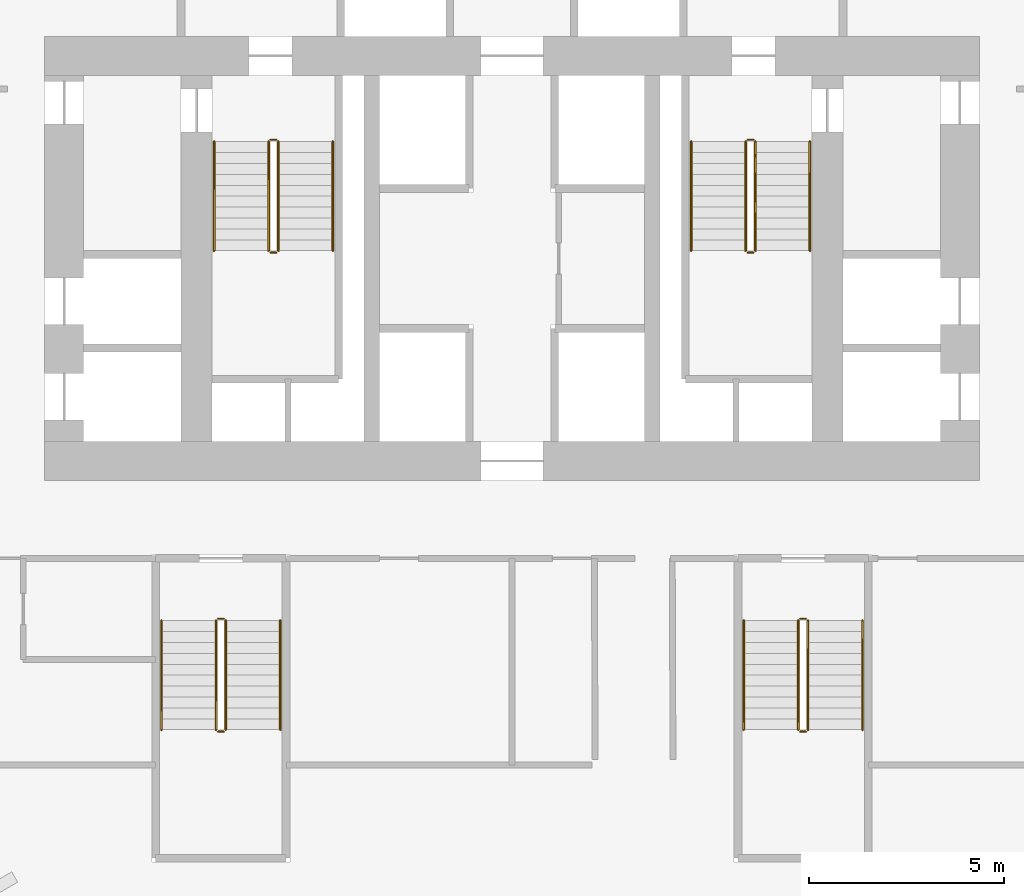
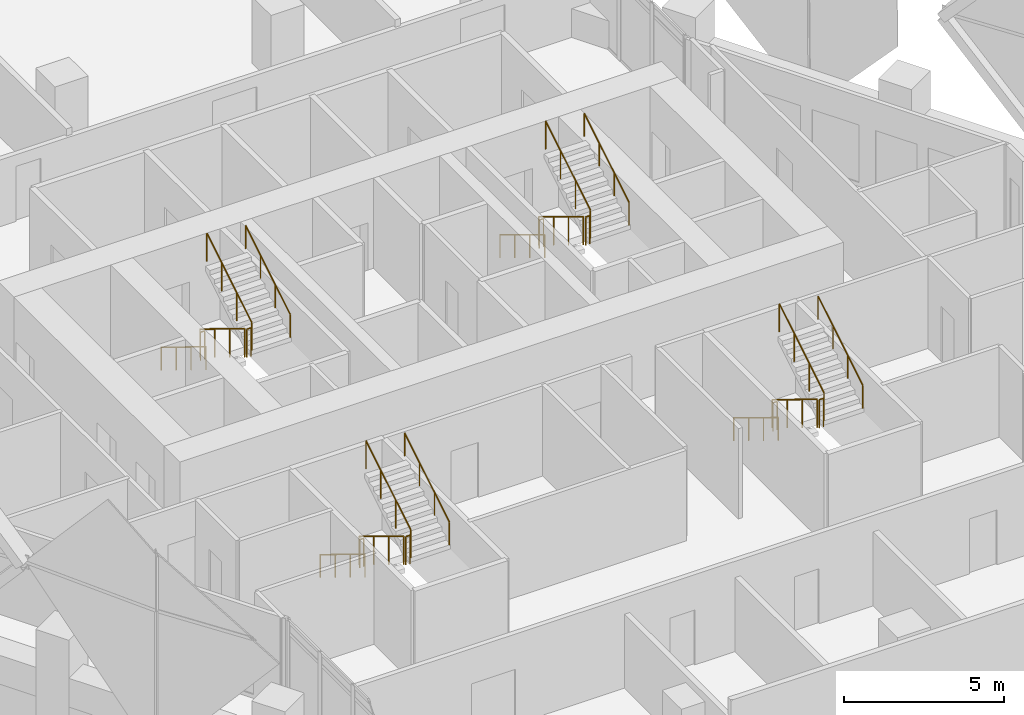
# One storey, part 38 of 38: 24 railings.
"""IFC4 building model written with IfcOpenShell, lengths in metres."""

import ifcopenshell
import ifcopenshell.guid

model = None  # the IFC model being written
_history = None  # IfcOwnerHistory: only IFC2X3 demands one
_inside = {}  # id of a spatial element -> (the spatial element, [elements in it])
_under = {}  # id of a project, library or spatial element -> (it, [spatial elements below it])
_declared = {}  # id of a project -> (the project, [libraries it declares])
_typed = {}  # id of a type object -> (the type object, [elements of that type])
_made_of = {}  # id of a material, layer set ... -> (it, [elements and type objects made of it])


def new_model(schema):
    """Start an empty IFC model of exactly this schema.

    Asked for "IFC4X3", IfcOpenShell would pick the latest addendum, in which some entities
    have other attributes; the version numbers below select the first issue.
    IFC2X3 requires an IfcOwnerHistory on every rooted entity: one is made here for all.
    """
    global model, _history
    if schema == "IFC4X3":
        model = ifcopenshell.file(schema_version=(4, 3, 0, 0))
    else:
        model = ifcopenshell.file(schema=schema)
    _inside.clear()
    _under.clear()
    _declared.clear()
    _typed.clear()
    _made_of.clear()
    _history = None
    if model.schema == "IFC2X3":
        org = make("IfcOrganization", Name="unknown")
        user = make(
            "IfcPersonAndOrganization",
            ThePerson=make("IfcPerson", FamilyName="unknown"),
            TheOrganization=org,
        )
        app = make(
            "IfcApplication",
            ApplicationDeveloper=org,
            Version="unknown",
            ApplicationFullName="unknown",
            ApplicationIdentifier="unknown",
        )
        _history = make(
            "IfcOwnerHistory",
            OwningUser=user,
            OwningApplication=app,
            ChangeAction="ADDED",
            CreationDate=0,
        )
    return model


def make(cls, **values):
    """One entity of the class cls with the attributes given. An attribute that is None is left unset."""
    return model.create_entity(
        cls, **{name: value for name, value in values.items() if value is not None}
    )


def rooted(cls, **values):
    """An entity with a GlobalId (a new one), such as an element, a storey or a relation."""
    return make(cls, GlobalId=ifcopenshell.guid.new(), OwnerHistory=_history, **values)


def si_unit(unit_type, name, prefix=None):
    """IfcSIUnit, for example si_unit("LENGTHUNIT", "METRE", prefix="MILLI")."""
    return make("IfcSIUnit", UnitType=unit_type, Prefix=prefix, Name=name)


def assignment(units):
    """IfcUnitAssignment: the units of a project."""
    return None if units is None else make("IfcUnitAssignment", Units=units)


def point(xyz):
    """IfcCartesianPoint."""
    return None if xyz is None else make("IfcCartesianPoint", Coordinates=xyz)


def direction(xyz):
    """IfcDirection."""
    return None if xyz is None else make("IfcDirection", DirectionRatios=xyz)


def frame(location, z_axis=None, x_axis=None):
    """IfcAxis2Placement3D, a coordinate frame: its origin and axes. An axis left out is left unset."""
    return make(
        "IfcAxis2Placement3D",
        Location=point(location),
        Axis=direction(z_axis),
        RefDirection=direction(x_axis),
    )


def frame_2d(location, x_axis=None):
    """IfcAxis2Placement2D, a coordinate frame in the plane: its origin and x axis."""
    return make(
        "IfcAxis2Placement2D", Location=point(location), RefDirection=direction(x_axis)
    )


def origin():
    """The frame at (0, 0, 0) with its axes left unset."""
    return frame((0.0, 0.0, 0.0))


def origin_2d():
    """The frame at (0, 0) in the plane with its x axis left unset."""
    return frame_2d((0.0, 0.0))


def place(relative_to, where):
    """IfcLocalPlacement: puts the frame where relative to a parent placement (None: the world)."""
    return make(
        "IfcLocalPlacement", PlacementRelTo=relative_to, RelativePlacement=where
    )


def context(
    kind, dimensions, precision=None, world=None, true_north=None, identifier=None
):
    """IfcGeometricRepresentationContext, for example the 3D "Model" context."""
    return make(
        "IfcGeometricRepresentationContext",
        ContextIdentifier=identifier,
        ContextType=kind,
        CoordinateSpaceDimension=dimensions,
        Precision=precision,
        WorldCoordinateSystem=world,
        TrueNorth=true_north,
    )


def subcontext(parent, identifier, kind, view, scale=None):
    """IfcGeometricRepresentationSubContext, for example "Body" below "Model"."""
    return make(
        "IfcGeometricRepresentationSubContext",
        ContextIdentifier=identifier,
        ContextType=kind,
        ParentContext=parent,
        TargetScale=scale,
        TargetView=view,
    )


def project(units=None, contexts=None):
    """IfcProject with its units and contexts."""
    return rooted(
        "IfcProject",
        Name="project",
        RepresentationContexts=contexts,
        UnitsInContext=assignment(units),
    )


def spatial(cls, under=None, at=None, **own):
    """A site, building, storey or space (cls), placed at a placement, below another one or the project."""
    s = rooted(cls, ObjectPlacement=at, **own)
    if under is not None:
        _under.setdefault(under.id(), (under, []))[1].append(s)
    return s


def profile(cls, at=None, kind="AREA", **sizes):
    """A parametric profile (cls). Its sizes go by their IFC names, for example OverallWidth=200.0."""
    return make(cls, ProfileType=kind, Position=at, **sizes)


def circle(**sizes):
    """IfcCircleProfileDef."""
    return profile("IfcCircleProfileDef", **sizes)


def extrude(swept, where, along, depth):
    """IfcExtrudedAreaSolid: the profile swept, set in the frame where, extruded along a direction by depth."""
    return make(
        "IfcExtrudedAreaSolid",
        SweptArea=swept,
        Position=where,
        ExtrudedDirection=direction(along),
        Depth=depth,
    )


def shape(context_of_items, identifier, shape_type, items):
    """IfcShapeRepresentation: the items that make up one representation, for example the "Body"."""
    return make(
        "IfcShapeRepresentation",
        ContextOfItems=context_of_items,
        RepresentationIdentifier=identifier,
        RepresentationType=shape_type,
        Items=items,
    )


def material(Name=None, Category=None):
    """IfcMaterial."""
    return make("IfcMaterial", Name=Name, Category=Category)


def made_of(thing, what):
    """Note that an element or type object is made of a material, layer set ...; save() writes the relation."""
    if what is not None:
        _made_of.setdefault(what.id(), (what, []))[1].append(thing)
    return thing


def type_object(cls, material=None, **own):
    """A type object (cls), such as IfcWallType, which elements share."""
    return made_of(rooted(cls, **own), material)


def element(
    cls,
    number,
    at=None,
    inside=None,
    cuts=None,
    type_object=None,
    material=None,
    context=None,
    identifier="Body",
    shape_type=None,
    held_by="IfcProductDefinitionShape",
    body=None,
    shapes=None,
    **own,
):
    """One element of the class cls, such as IfcWall. Its Tag is "e" and its number.

    at: its placement. inside: the storey or other place that contains it. cuts: it is an
    opening in that element (IfcRelVoidsElement). A single representation is given by context,
    identifier, shape_type and body (its items); several are given by shapes. held_by: the class
    of the entity that holds the representations. save() writes the other relations.
    """
    e = rooted(cls, Tag="e%d" % number, ObjectPlacement=at, **own)
    if body is not None:
        shapes = [shape(context, identifier, shape_type, body)]
    if shapes is not None:
        e.Representation = make(held_by, Representations=shapes)
    if inside is not None:
        _inside.setdefault(inside.id(), (inside, []))[1].append(e)
    if cuts is not None:
        rooted(
            "IfcRelVoidsElement", RelatingBuildingElement=cuts, RelatedOpeningElement=e
        )
    if type_object is not None:
        _typed.setdefault(type_object.id(), (type_object, []))[1].append(e)
    return made_of(e, material)


def aggregate(whole, parts):
    """IfcRelAggregates: a whole, such as a stair, and the parts it consists of."""
    return rooted("IfcRelAggregates", RelatingObject=whole, RelatedObjects=parts)


def save(model, path):
    """Write the relations noted so far, then the file.

    IfcRelAggregates (storeys below a building ...), IfcRelContainedInSpatialStructure (elements
    in a storey), IfcRelDefinesByType, IfcRelAssociatesMaterial and IfcRelDeclares: one each for
    every whole, place, type object, material and project.
    """
    for whole, parts in _under.values():
        aggregate(whole, parts)
    for where, things in _inside.values():
        rooted(
            "IfcRelContainedInSpatialStructure",
            RelatedElements=things,
            RelatingStructure=where,
        )
    for kind, things in _typed.values():
        rooted("IfcRelDefinesByType", RelatedObjects=things, RelatingType=kind)
    for what, things in _made_of.values():
        rooted("IfcRelAssociatesMaterial", RelatedObjects=things, RelatingMaterial=what)
    for by, libraries in _declared.values():
        rooted("IfcRelDeclares", RelatingContext=by, RelatedDefinitions=libraries)
    model.write(path)


model = new_model("IFC4")

# Units and contexts
model_context = context("Model", 3, precision=1e-05, world=origin(), true_north=direction((0.0, 1.0)))
body_context = subcontext(model_context, "Body", "Model", "MODEL_VIEW")
ifc_project = project(units=[si_unit("LENGTHUNIT", "METRE"), si_unit("AREAUNIT", "SQUARE_METRE"), si_unit("VOLUMEUNIT", "CUBIC_METRE"), si_unit("PLANEANGLEUNIT", "RADIAN"), si_unit("MASSUNIT", "GRAM", prefix="KILO")], contexts=[model_context])

# Site, building, storey
site_placement = place(None, origin())
site = spatial("IfcSite", under=ifc_project, at=site_placement, CompositionType="ELEMENT")
building_placement = place(site_placement, origin())
building = spatial("IfcBuilding", under=site, at=building_placement, Name="Ostrander Bayou Hotel Tower", CompositionType="ELEMENT")
storey_placement = place(building_placement, frame((0.0, 0.0, 96.75)))
storey = spatial("IfcBuildingStorey", under=building, at=storey_placement, Name="L24", CompositionType="ELEMENT", Elevation=96.75)

# Railings
ifc_material_1 = material(Name="Steel ASTM A500 Gr C", Category="steel")
railing_type_1 = type_object("IfcRailingType", Name="GR1 stair guard 1100 mm steel", PredefinedType="GUARDRAIL", material=ifc_material_1)
railing_1_placement = place(storey_placement, frame((-6.25, 7.0, 0.17041015625)))
element("IfcRailing", 1, at=railing_1_placement, inside=storey, type_object=railing_type_1, Name="L24 STA stair guard 1", PredefinedType="GUARDRAIL", context=body_context, shape_type="SweptSolid", body=[
    extrude(circle(Radius=0.02392578125, at=origin_2d()), frame((0.0, 0.0, 1.076171875), z_axis=(0.0, -0.854169791009, 0.51999420009), x_axis=(1.0, 0.0, 0.0)), (0.0, 0.0, 1.0), 3.278076171875),
    extrude(circle(Radius=0.02099609375, at=origin_2d()), origin(), (0.0, 0.0, 1.0), 1.052001953125),
    extrude(circle(Radius=0.02099609375, at=origin_2d()), frame((0.0, -0.933349609375, 0.568115234375)), (0.0, 0.0, 1.0), 1.052001953125),
    extrude(circle(Radius=0.02099609375, at=origin_2d()), frame((0.0, -1.86669921875, 1.136474609375)), (0.0, 0.0, 1.0), 1.052001953125),
    extrude(circle(Radius=0.02099609375, at=origin_2d()), frame((0.0, -2.800048828125, 1.70458984375)), (0.0, 0.0, 1.0), 1.052001953125),
])
railing_2_placement = place(storey_placement, frame((-6.199951171875, 4.14990234375, 1.875)))
element("IfcRailing", 2, at=railing_2_placement, inside=storey, type_object=railing_type_1, Name="L24 STA stair guard 2", PredefinedType="GUARDRAIL", context=body_context, shape_type="SweptSolid", body=[
    extrude(circle(Radius=0.02392578125, at=origin_2d()), frame((0.0, 0.0, 1.076171875), z_axis=(1.0, 0.0, 0.0), x_axis=(0.0, 1.0, 0.0)), (0.0, 0.0, 1.0), 0.14990234375),
    extrude(circle(Radius=0.02099609375, at=origin_2d()), origin(), (0.0, 0.0, 1.0), 1.052001953125),
    extrude(circle(Radius=0.02099609375, at=origin_2d()), frame((0.14990234375, 0.0, 0.0)), (0.0, 0.0, 1.0), 1.052001953125),
])
railing_3_placement = place(storey_placement, frame((-6.0, 4.199951171875, 2.04541015625)))
element("IfcRailing", 3, at=railing_3_placement, inside=storey, type_object=railing_type_1, Name="L24 STA stair guard 3", PredefinedType="GUARDRAIL", context=body_context, shape_type="SweptSolid", body=[
    extrude(circle(Radius=0.02392578125, at=origin_2d()), frame((0.0, 0.0, 1.076171875), z_axis=(0.0, 0.854169791009, 0.51999420009), x_axis=(-1.0, 0.0, 0.0)), (0.0, 0.0, 1.0), 3.278076171875),
    extrude(circle(Radius=0.02099609375, at=origin_2d()), origin(), (0.0, 0.0, 1.0), 1.052001953125),
    extrude(circle(Radius=0.02099609375, at=origin_2d()), frame((0.0, 0.933349609375, 0.568115234375)), (0.0, 0.0, 1.0), 1.052001953125),
    extrude(circle(Radius=0.02099609375, at=origin_2d()), frame((0.0, 1.86669921875, 1.136474609375)), (0.0, 0.0, 1.0), 1.052001953125),
    extrude(circle(Radius=0.02099609375, at=origin_2d()), frame((0.0, 2.800048828125, 1.70458984375)), (0.0, 0.0, 1.0), 1.052001953125),
])
railing_4_placement = place(storey_placement, frame((-6.199951171875, 7.050048828125, 0.0)))
element("IfcRailing", 4, at=railing_4_placement, inside=storey, type_object=railing_type_1, Name="L24 STA stair guard 4", PredefinedType="GUARDRAIL", context=body_context, shape_type="SweptSolid", body=[
    extrude(circle(Radius=0.02392578125, at=origin_2d()), frame((0.0, 0.0, 1.076171875), z_axis=(1.0, 0.0, 0.0), x_axis=(0.0, 1.0, 0.0)), (0.0, 0.0, 1.0), 0.14990234375),
    extrude(circle(Radius=0.02099609375, at=origin_2d()), origin(), (0.0, 0.0, 1.0), 1.052001953125),
    extrude(circle(Radius=0.02099609375, at=origin_2d()), frame((0.14990234375, 0.0, 0.0)), (0.0, 0.0, 1.0), 1.052001953125),
])
railing_5_placement = place(storey_placement, frame((6.0, 7.0, 0.17041015625)))
element("IfcRailing", 5, at=railing_5_placement, inside=storey, type_object=railing_type_1, Name="L24 STB stair guard 1", PredefinedType="GUARDRAIL", context=body_context, shape_type="SweptSolid", body=[
    extrude(circle(Radius=0.02392578125, at=origin_2d()), frame((0.0, 0.0, 1.076171875), z_axis=(0.0, -0.854169791009, 0.51999420009), x_axis=(1.0, 0.0, 0.0)), (0.0, 0.0, 1.0), 3.278076171875),
    extrude(circle(Radius=0.02099609375, at=origin_2d()), origin(), (0.0, 0.0, 1.0), 1.052001953125),
    extrude(circle(Radius=0.02099609375, at=origin_2d()), frame((0.0, -0.933349609375, 0.568115234375)), (0.0, 0.0, 1.0), 1.052001953125),
    extrude(circle(Radius=0.02099609375, at=origin_2d()), frame((0.0, -1.86669921875, 1.136474609375)), (0.0, 0.0, 1.0), 1.052001953125),
    extrude(circle(Radius=0.02099609375, at=origin_2d()), frame((0.0, -2.800048828125, 1.70458984375)), (0.0, 0.0, 1.0), 1.052001953125),
])
railing_6_placement = place(storey_placement, frame((6.050048828125, 4.14990234375, 1.875)))
element("IfcRailing", 6, at=railing_6_placement, inside=storey, type_object=railing_type_1, Name="L24 STB stair guard 2", PredefinedType="GUARDRAIL", context=body_context, shape_type="SweptSolid", body=[
    extrude(circle(Radius=0.02392578125, at=origin_2d()), frame((0.0, 0.0, 1.076171875), z_axis=(1.0, 0.0, 0.0), x_axis=(0.0, 1.0, 0.0)), (0.0, 0.0, 1.0), 0.14990234375),
    extrude(circle(Radius=0.02099609375, at=origin_2d()), origin(), (0.0, 0.0, 1.0), 1.052001953125),
    extrude(circle(Radius=0.02099609375, at=origin_2d()), frame((0.14990234375, 0.0, 0.0)), (0.0, 0.0, 1.0), 1.052001953125),
])
railing_7_placement = place(storey_placement, frame((6.25, 4.199951171875, 2.04541015625)))
element("IfcRailing", 7, at=railing_7_placement, inside=storey, type_object=railing_type_1, Name="L24 STB stair guard 3", PredefinedType="GUARDRAIL", context=body_context, shape_type="SweptSolid", body=[
    extrude(circle(Radius=0.02392578125, at=origin_2d()), frame((0.0, 0.0, 1.076171875), z_axis=(0.0, 0.854169791009, 0.51999420009), x_axis=(-1.0, 0.0, 0.0)), (0.0, 0.0, 1.0), 3.278076171875),
    extrude(circle(Radius=0.02099609375, at=origin_2d()), origin(), (0.0, 0.0, 1.0), 1.052001953125),
    extrude(circle(Radius=0.02099609375, at=origin_2d()), frame((0.0, 0.933349609375, 0.568115234375)), (0.0, 0.0, 1.0), 1.052001953125),
    extrude(circle(Radius=0.02099609375, at=origin_2d()), frame((0.0, 1.86669921875, 1.136474609375)), (0.0, 0.0, 1.0), 1.052001953125),
    extrude(circle(Radius=0.02099609375, at=origin_2d()), frame((0.0, 2.800048828125, 1.70458984375)), (0.0, 0.0, 1.0), 1.052001953125),
])
railing_8_placement = place(storey_placement, frame((6.050048828125, 7.050048828125, 0.0)))
element("IfcRailing", 8, at=railing_8_placement, inside=storey, type_object=railing_type_1, Name="L24 STB stair guard 4", PredefinedType="GUARDRAIL", context=body_context, shape_type="SweptSolid", body=[
    extrude(circle(Radius=0.02392578125, at=origin_2d()), frame((0.0, 0.0, 1.076171875), z_axis=(1.0, 0.0, 0.0), x_axis=(0.0, 1.0, 0.0)), (0.0, 0.0, 1.0), 0.14990234375),
    extrude(circle(Radius=0.02099609375, at=origin_2d()), origin(), (0.0, 0.0, 1.0), 1.052001953125),
    extrude(circle(Radius=0.02099609375, at=origin_2d()), frame((0.14990234375, 0.0, 0.0)), (0.0, 0.0, 1.0), 1.052001953125),
])
railing_9_placement = place(storey_placement, frame((7.35009765625, -5.300048828125, 0.17041015625)))
element("IfcRailing", 9, at=railing_9_placement, inside=storey, type_object=railing_type_1, Name="L24 STC stair guard 1", PredefinedType="GUARDRAIL", context=body_context, shape_type="SweptSolid", body=[
    extrude(circle(Radius=0.02392578125, at=origin_2d()), frame((0.0, 0.0, 1.076171875), z_axis=(0.0, -0.854169791009, 0.51999420009), x_axis=(1.0, 0.0, 0.0)), (0.0, 0.0, 1.0), 3.278076171875),
    extrude(circle(Radius=0.02099609375, at=origin_2d()), origin(), (0.0, 0.0, 1.0), 1.052001953125),
    extrude(circle(Radius=0.02099609375, at=origin_2d()), frame((0.0, -0.933349609375, 0.568115234375)), (0.0, 0.0, 1.0), 1.052001953125),
    extrude(circle(Radius=0.02099609375, at=origin_2d()), frame((0.0, -1.86669921875, 1.136474609375)), (0.0, 0.0, 1.0), 1.052001953125),
    extrude(circle(Radius=0.02099609375, at=origin_2d()), frame((0.0, -2.800048828125, 1.70458984375)), (0.0, 0.0, 1.0), 1.052001953125),
])
railing_10_placement = place(storey_placement, frame((7.39990234375, -8.14990234375, 1.875)))
element("IfcRailing", 10, at=railing_10_placement, inside=storey, type_object=railing_type_1, Name="L24 STC stair guard 2", PredefinedType="GUARDRAIL", context=body_context, shape_type="SweptSolid", body=[
    extrude(circle(Radius=0.02392578125, at=origin_2d()), frame((0.0, 0.0, 1.076171875), z_axis=(1.0, 0.0, 0.0), x_axis=(0.0, 1.0, 0.0)), (0.0, 0.0, 1.0), 0.150146484375),
    extrude(circle(Radius=0.02099609375, at=origin_2d()), origin(), (0.0, 0.0, 1.0), 1.052001953125),
    extrude(circle(Radius=0.02099609375, at=origin_2d()), frame((0.150146484375, 0.0, 0.0)), (0.0, 0.0, 1.0), 1.052001953125),
])
railing_11_placement = place(storey_placement, frame((7.60009765625, -8.10009765625, 2.04541015625)))
element("IfcRailing", 11, at=railing_11_placement, inside=storey, type_object=railing_type_1, Name="L24 STC stair guard 3", PredefinedType="GUARDRAIL", context=body_context, shape_type="SweptSolid", body=[
    extrude(circle(Radius=0.02392578125, at=origin_2d()), frame((0.0, 0.0, 1.076171875), z_axis=(0.0, 0.854169791009, 0.51999420009), x_axis=(-1.0, 0.0, 0.0)), (0.0, 0.0, 1.0), 3.278076171875),
    extrude(circle(Radius=0.02099609375, at=origin_2d()), origin(), (0.0, 0.0, 1.0), 1.052001953125),
    extrude(circle(Radius=0.02099609375, at=origin_2d()), frame((0.0, 0.933349609375, 0.568115234375)), (0.0, 0.0, 1.0), 1.052001953125),
    extrude(circle(Radius=0.02099609375, at=origin_2d()), frame((0.0, 1.86669921875, 1.136474609375)), (0.0, 0.0, 1.0), 1.052001953125),
    extrude(circle(Radius=0.02099609375, at=origin_2d()), frame((0.0, 2.800048828125, 1.70458984375)), (0.0, 0.0, 1.0), 1.052001953125),
])
railing_12_placement = place(storey_placement, frame((7.39990234375, -5.25, 0.0)))
element("IfcRailing", 12, at=railing_12_placement, inside=storey, type_object=railing_type_1, Name="L24 STC stair guard 4", PredefinedType="GUARDRAIL", context=body_context, shape_type="SweptSolid", body=[
    extrude(circle(Radius=0.02392578125, at=origin_2d()), frame((0.0, 0.0, 1.076171875), z_axis=(1.0, 0.0, 0.0), x_axis=(0.0, 1.0, 0.0)), (0.0, 0.0, 1.0), 0.150146484375),
    extrude(circle(Radius=0.02099609375, at=origin_2d()), origin(), (0.0, 0.0, 1.0), 1.052001953125),
    extrude(circle(Radius=0.02099609375, at=origin_2d()), frame((0.150146484375, 0.0, 0.0)), (0.0, 0.0, 1.0), 1.052001953125),
])
railing_13_placement = place(storey_placement, frame((-7.60009765625, -5.300048828125, 0.17041015625)))
element("IfcRailing", 13, at=railing_13_placement, inside=storey, type_object=railing_type_1, Name="L24 STD stair guard 1", PredefinedType="GUARDRAIL", context=body_context, shape_type="SweptSolid", body=[
    extrude(circle(Radius=0.02392578125, at=origin_2d()), frame((0.0, 0.0, 1.076171875), z_axis=(0.0, -0.854169791009, 0.51999420009), x_axis=(1.0, 0.0, 0.0)), (0.0, 0.0, 1.0), 3.278076171875),
    extrude(circle(Radius=0.02099609375, at=origin_2d()), origin(), (0.0, 0.0, 1.0), 1.052001953125),
    extrude(circle(Radius=0.02099609375, at=origin_2d()), frame((0.0, -0.933349609375, 0.568115234375)), (0.0, 0.0, 1.0), 1.052001953125),
    extrude(circle(Radius=0.02099609375, at=origin_2d()), frame((0.0, -1.86669921875, 1.136474609375)), (0.0, 0.0, 1.0), 1.052001953125),
    extrude(circle(Radius=0.02099609375, at=origin_2d()), frame((0.0, -2.800048828125, 1.70458984375)), (0.0, 0.0, 1.0), 1.052001953125),
])
railing_14_placement = place(storey_placement, frame((-7.550048828125, -8.14990234375, 1.875)))
element("IfcRailing", 14, at=railing_14_placement, inside=storey, type_object=railing_type_1, Name="L24 STD stair guard 2", PredefinedType="GUARDRAIL", context=body_context, shape_type="SweptSolid", body=[
    extrude(circle(Radius=0.02392578125, at=origin_2d()), frame((0.0, 0.0, 1.076171875), z_axis=(1.0, 0.0, 0.0), x_axis=(0.0, 1.0, 0.0)), (0.0, 0.0, 1.0), 0.150146484375),
    extrude(circle(Radius=0.02099609375, at=origin_2d()), origin(), (0.0, 0.0, 1.0), 1.052001953125),
    extrude(circle(Radius=0.02099609375, at=origin_2d()), frame((0.150146484375, 0.0, 0.0)), (0.0, 0.0, 1.0), 1.052001953125),
])
railing_15_placement = place(storey_placement, frame((-7.35009765625, -8.10009765625, 2.04541015625)))
element("IfcRailing", 15, at=railing_15_placement, inside=storey, type_object=railing_type_1, Name="L24 STD stair guard 3", PredefinedType="GUARDRAIL", context=body_context, shape_type="SweptSolid", body=[
    extrude(circle(Radius=0.02392578125, at=origin_2d()), frame((0.0, 0.0, 1.076171875), z_axis=(0.0, 0.854169791009, 0.51999420009), x_axis=(-1.0, 0.0, 0.0)), (0.0, 0.0, 1.0), 3.278076171875),
    extrude(circle(Radius=0.02099609375, at=origin_2d()), origin(), (0.0, 0.0, 1.0), 1.052001953125),
    extrude(circle(Radius=0.02099609375, at=origin_2d()), frame((0.0, 0.933349609375, 0.568115234375)), (0.0, 0.0, 1.0), 1.052001953125),
    extrude(circle(Radius=0.02099609375, at=origin_2d()), frame((0.0, 1.86669921875, 1.136474609375)), (0.0, 0.0, 1.0), 1.052001953125),
    extrude(circle(Radius=0.02099609375, at=origin_2d()), frame((0.0, 2.800048828125, 1.70458984375)), (0.0, 0.0, 1.0), 1.052001953125),
])
railing_16_placement = place(storey_placement, frame((-7.550048828125, -5.25, 0.0)))
element("IfcRailing", 16, at=railing_16_placement, inside=storey, type_object=railing_type_1, Name="L24 STD stair guard 4", PredefinedType="GUARDRAIL", context=body_context, shape_type="SweptSolid", body=[
    extrude(circle(Radius=0.02392578125, at=origin_2d()), frame((0.0, 0.0, 1.076171875), z_axis=(1.0, 0.0, 0.0), x_axis=(0.0, 1.0, 0.0)), (0.0, 0.0, 1.0), 0.150146484375),
    extrude(circle(Radius=0.02099609375, at=origin_2d()), origin(), (0.0, 0.0, 1.0), 1.052001953125),
    extrude(circle(Radius=0.02099609375, at=origin_2d()), frame((0.150146484375, 0.0, 0.0)), (0.0, 0.0, 1.0), 1.052001953125),
])
ifc_material_2 = material(Name="Steel ASTM A500 Gr C", Category="steel")
railing_type_2 = type_object("IfcRailingType", Name="HR1 stair handrail 900 mm steel", PredefinedType="HANDRAIL", material=ifc_material_2)
railing_17_placement = place(storey_placement, frame((-7.64990234375, 7.0, 0.17041015625)))
element("IfcRailing", 17, at=railing_17_placement, inside=storey, type_object=railing_type_2, Name="L24 STA stair handrail 1", PredefinedType="HANDRAIL", context=body_context, shape_type="SweptSolid", body=[
    extrude(circle(Radius=0.02392578125, at=origin_2d()), frame((0.0, 0.0, 0.8759765625), z_axis=(0.0, -0.854169791009, 0.51999420009), x_axis=(1.0, 0.0, 0.0)), (0.0, 0.0, 1.0), 3.278076171875),
    extrude(circle(Radius=0.02099609375, at=origin_2d()), origin(), (0.0, 0.0, 1.0), 0.851806640625),
    extrude(circle(Radius=0.02099609375, at=origin_2d()), frame((0.0, -0.933349609375, 0.568115234375)), (0.0, 0.0, 1.0), 0.851806640625),
    extrude(circle(Radius=0.02099609375, at=origin_2d()), frame((0.0, -1.86669921875, 1.136474609375)), (0.0, 0.0, 1.0), 0.851806640625),
    extrude(circle(Radius=0.02099609375, at=origin_2d()), frame((0.0, -2.800048828125, 1.70458984375)), (0.0, 0.0, 1.0), 0.851806640625),
])
railing_18_placement = place(storey_placement, frame((-4.60009765625, 4.199951171875, 2.04541015625)))
element("IfcRailing", 18, at=railing_18_placement, inside=storey, type_object=railing_type_2, Name="L24 STA stair handrail 2", PredefinedType="HANDRAIL", context=body_context, shape_type="SweptSolid", body=[
    extrude(circle(Radius=0.02392578125, at=origin_2d()), frame((0.0, 0.0, 0.8759765625), z_axis=(0.0, 0.854169791009, 0.51999420009), x_axis=(-1.0, 0.0, 0.0)), (0.0, 0.0, 1.0), 3.278076171875),
    extrude(circle(Radius=0.02099609375, at=origin_2d()), origin(), (0.0, 0.0, 1.0), 0.851806640625),
    extrude(circle(Radius=0.02099609375, at=origin_2d()), frame((0.0, 0.933349609375, 0.568115234375)), (0.0, 0.0, 1.0), 0.851806640625),
    extrude(circle(Radius=0.02099609375, at=origin_2d()), frame((0.0, 1.86669921875, 1.136474609375)), (0.0, 0.0, 1.0), 0.851806640625),
    extrude(circle(Radius=0.02099609375, at=origin_2d()), frame((0.0, 2.800048828125, 1.70458984375)), (0.0, 0.0, 1.0), 0.851806640625),
])
railing_19_placement = place(storey_placement, frame((4.60009765625, 7.0, 0.17041015625)))
element("IfcRailing", 19, at=railing_19_placement, inside=storey, type_object=railing_type_2, Name="L24 STB stair handrail 1", PredefinedType="HANDRAIL", context=body_context, shape_type="SweptSolid", body=[
    extrude(circle(Radius=0.02392578125, at=origin_2d()), frame((0.0, 0.0, 0.8759765625), z_axis=(0.0, -0.854169791009, 0.51999420009), x_axis=(1.0, 0.0, 0.0)), (0.0, 0.0, 1.0), 3.278076171875),
    extrude(circle(Radius=0.02099609375, at=origin_2d()), origin(), (0.0, 0.0, 1.0), 0.851806640625),
    extrude(circle(Radius=0.02099609375, at=origin_2d()), frame((0.0, -0.933349609375, 0.568115234375)), (0.0, 0.0, 1.0), 0.851806640625),
    extrude(circle(Radius=0.02099609375, at=origin_2d()), frame((0.0, -1.86669921875, 1.136474609375)), (0.0, 0.0, 1.0), 0.851806640625),
    extrude(circle(Radius=0.02099609375, at=origin_2d()), frame((0.0, -2.800048828125, 1.70458984375)), (0.0, 0.0, 1.0), 0.851806640625),
])
railing_20_placement = place(storey_placement, frame((7.64990234375, 4.199951171875, 2.04541015625)))
element("IfcRailing", 20, at=railing_20_placement, inside=storey, type_object=railing_type_2, Name="L24 STB stair handrail 2", PredefinedType="HANDRAIL", context=body_context, shape_type="SweptSolid", body=[
    extrude(circle(Radius=0.02392578125, at=origin_2d()), frame((0.0, 0.0, 0.8759765625), z_axis=(0.0, 0.854169791009, 0.51999420009), x_axis=(-1.0, 0.0, 0.0)), (0.0, 0.0, 1.0), 3.278076171875),
    extrude(circle(Radius=0.02099609375, at=origin_2d()), origin(), (0.0, 0.0, 1.0), 0.851806640625),
    extrude(circle(Radius=0.02099609375, at=origin_2d()), frame((0.0, 0.933349609375, 0.568115234375)), (0.0, 0.0, 1.0), 0.851806640625),
    extrude(circle(Radius=0.02099609375, at=origin_2d()), frame((0.0, 1.86669921875, 1.136474609375)), (0.0, 0.0, 1.0), 0.851806640625),
    extrude(circle(Radius=0.02099609375, at=origin_2d()), frame((0.0, 2.800048828125, 1.70458984375)), (0.0, 0.0, 1.0), 0.851806640625),
])
railing_21_placement = place(storey_placement, frame((5.949951171875, -5.300048828125, 0.17041015625)))
element("IfcRailing", 21, at=railing_21_placement, inside=storey, type_object=railing_type_2, Name="L24 STC stair handrail 1", PredefinedType="HANDRAIL", context=body_context, shape_type="SweptSolid", body=[
    extrude(circle(Radius=0.02392578125, at=origin_2d()), frame((0.0, 0.0, 0.8759765625), z_axis=(0.0, -0.854169791009, 0.51999420009), x_axis=(1.0, 0.0, 0.0)), (0.0, 0.0, 1.0), 3.278076171875),
    extrude(circle(Radius=0.02099609375, at=origin_2d()), origin(), (0.0, 0.0, 1.0), 0.851806640625),
    extrude(circle(Radius=0.02099609375, at=origin_2d()), frame((0.0, -0.933349609375, 0.568115234375)), (0.0, 0.0, 1.0), 0.851806640625),
    extrude(circle(Radius=0.02099609375, at=origin_2d()), frame((0.0, -1.86669921875, 1.136474609375)), (0.0, 0.0, 1.0), 0.851806640625),
    extrude(circle(Radius=0.02099609375, at=origin_2d()), frame((0.0, -2.800048828125, 1.70458984375)), (0.0, 0.0, 1.0), 0.851806640625),
])
railing_22_placement = place(storey_placement, frame((9.0, -8.10009765625, 2.04541015625)))
element("IfcRailing", 22, at=railing_22_placement, inside=storey, type_object=railing_type_2, Name="L24 STC stair handrail 2", PredefinedType="HANDRAIL", context=body_context, shape_type="SweptSolid", body=[
    extrude(circle(Radius=0.02392578125, at=origin_2d()), frame((0.0, 0.0, 0.8759765625), z_axis=(0.0, 0.854169791009, 0.51999420009), x_axis=(-1.0, 0.0, 0.0)), (0.0, 0.0, 1.0), 3.278076171875),
    extrude(circle(Radius=0.02099609375, at=origin_2d()), origin(), (0.0, 0.0, 1.0), 0.851806640625),
    extrude(circle(Radius=0.02099609375, at=origin_2d()), frame((0.0, 0.933349609375, 0.568115234375)), (0.0, 0.0, 1.0), 0.851806640625),
    extrude(circle(Radius=0.02099609375, at=origin_2d()), frame((0.0, 1.86669921875, 1.136474609375)), (0.0, 0.0, 1.0), 0.851806640625),
    extrude(circle(Radius=0.02099609375, at=origin_2d()), frame((0.0, 2.800048828125, 1.70458984375)), (0.0, 0.0, 1.0), 0.851806640625),
])
railing_23_placement = place(storey_placement, frame((-9.0, -5.300048828125, 0.17041015625)))
element("IfcRailing", 23, at=railing_23_placement, inside=storey, type_object=railing_type_2, Name="L24 STD stair handrail 1", PredefinedType="HANDRAIL", context=body_context, shape_type="SweptSolid", body=[
    extrude(circle(Radius=0.02392578125, at=origin_2d()), frame((0.0, 0.0, 0.8759765625), z_axis=(0.0, -0.854169791009, 0.51999420009), x_axis=(1.0, 0.0, 0.0)), (0.0, 0.0, 1.0), 3.278076171875),
    extrude(circle(Radius=0.02099609375, at=origin_2d()), origin(), (0.0, 0.0, 1.0), 0.851806640625),
    extrude(circle(Radius=0.02099609375, at=origin_2d()), frame((0.0, -0.933349609375, 0.568115234375)), (0.0, 0.0, 1.0), 0.851806640625),
    extrude(circle(Radius=0.02099609375, at=origin_2d()), frame((0.0, -1.86669921875, 1.136474609375)), (0.0, 0.0, 1.0), 0.851806640625),
    extrude(circle(Radius=0.02099609375, at=origin_2d()), frame((0.0, -2.800048828125, 1.70458984375)), (0.0, 0.0, 1.0), 0.851806640625),
])
railing_24_placement = place(storey_placement, frame((-5.949951171875, -8.10009765625, 2.04541015625)))
element("IfcRailing", 24, at=railing_24_placement, inside=storey, type_object=railing_type_2, Name="L24 STD stair handrail 2", PredefinedType="HANDRAIL", context=body_context, shape_type="SweptSolid", body=[
    extrude(circle(Radius=0.02392578125, at=origin_2d()), frame((0.0, 0.0, 0.8759765625), z_axis=(0.0, 0.854169791009, 0.51999420009), x_axis=(-1.0, 0.0, 0.0)), (0.0, 0.0, 1.0), 3.278076171875),
    extrude(circle(Radius=0.02099609375, at=origin_2d()), origin(), (0.0, 0.0, 1.0), 0.851806640625),
    extrude(circle(Radius=0.02099609375, at=origin_2d()), frame((0.0, 0.933349609375, 0.568115234375)), (0.0, 0.0, 1.0), 0.851806640625),
    extrude(circle(Radius=0.02099609375, at=origin_2d()), frame((0.0, 1.86669921875, 1.136474609375)), (0.0, 0.0, 1.0), 0.851806640625),
    extrude(circle(Radius=0.02099609375, at=origin_2d()), frame((0.0, 2.800048828125, 1.70458984375)), (0.0, 0.0, 1.0), 0.851806640625),
])

save(model, "model.ifc")
